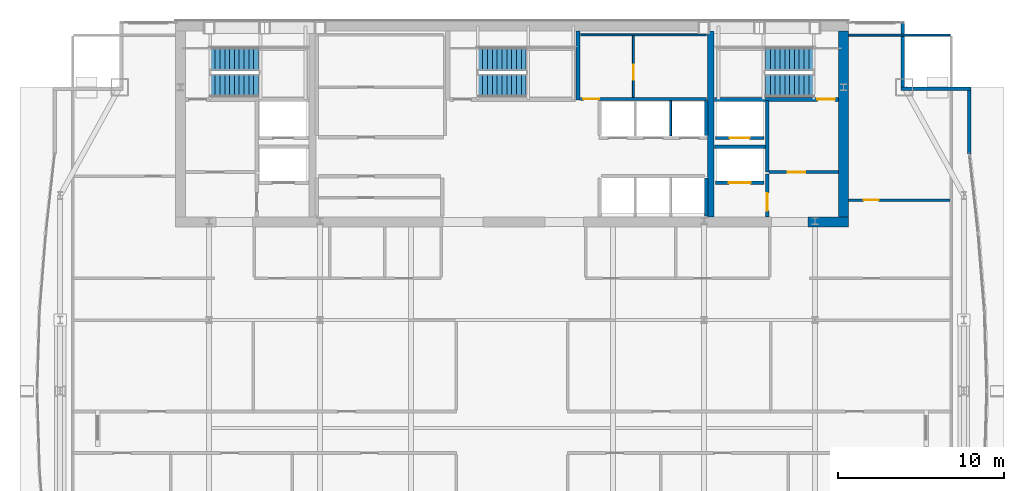
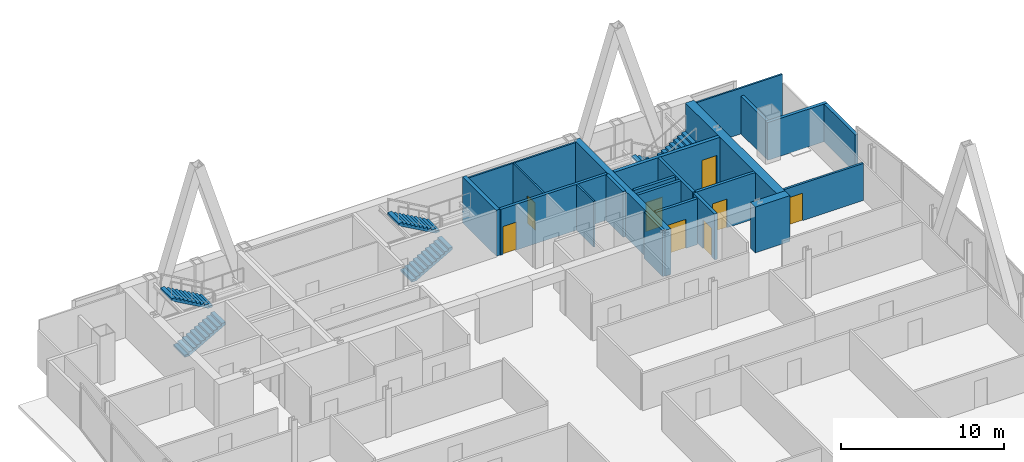
# One storey, part 28 of 30: 22 walls, 8 doors, 6 stair flights, 8 openings, 3 elements without a shape of their own.
"""IFC4 building model written with IfcOpenShell, lengths in metres."""

import ifcopenshell
import ifcopenshell.guid

model = None  # the IFC model being written
_history = None  # IfcOwnerHistory: only IFC2X3 demands one
_inside = {}  # id of a spatial element -> (the spatial element, [elements in it])
_under = {}  # id of a project, library or spatial element -> (it, [spatial elements below it])
_declared = {}  # id of a project -> (the project, [libraries it declares])
_typed = {}  # id of a type object -> (the type object, [elements of that type])
_made_of = {}  # id of a material, layer set ... -> (it, [elements and type objects made of it])


def new_model(schema):
    """Start an empty IFC model of exactly this schema.

    Asked for "IFC4X3", IfcOpenShell would pick the latest addendum, in which some entities
    have other attributes; the version numbers below select the first issue.
    IFC2X3 requires an IfcOwnerHistory on every rooted entity: one is made here for all.
    """
    global model, _history
    if schema == "IFC4X3":
        model = ifcopenshell.file(schema_version=(4, 3, 0, 0))
    else:
        model = ifcopenshell.file(schema=schema)
    _inside.clear()
    _under.clear()
    _declared.clear()
    _typed.clear()
    _made_of.clear()
    _history = None
    if model.schema == "IFC2X3":
        org = make("IfcOrganization", Name="unknown")
        user = make(
            "IfcPersonAndOrganization",
            ThePerson=make("IfcPerson", FamilyName="unknown"),
            TheOrganization=org,
        )
        app = make(
            "IfcApplication",
            ApplicationDeveloper=org,
            Version="unknown",
            ApplicationFullName="unknown",
            ApplicationIdentifier="unknown",
        )
        _history = make(
            "IfcOwnerHistory",
            OwningUser=user,
            OwningApplication=app,
            ChangeAction="ADDED",
            CreationDate=0,
        )
    return model


def make(cls, **values):
    """One entity of the class cls with the attributes given. An attribute that is None is left unset."""
    return model.create_entity(
        cls, **{name: value for name, value in values.items() if value is not None}
    )


def rooted(cls, **values):
    """An entity with a GlobalId (a new one), such as an element, a storey or a relation."""
    return make(cls, GlobalId=ifcopenshell.guid.new(), OwnerHistory=_history, **values)


def si_unit(unit_type, name, prefix=None):
    """IfcSIUnit, for example si_unit("LENGTHUNIT", "METRE", prefix="MILLI")."""
    return make("IfcSIUnit", UnitType=unit_type, Prefix=prefix, Name=name)


def assignment(units):
    """IfcUnitAssignment: the units of a project."""
    return None if units is None else make("IfcUnitAssignment", Units=units)


def point(xyz):
    """IfcCartesianPoint."""
    return None if xyz is None else make("IfcCartesianPoint", Coordinates=xyz)


def direction(xyz):
    """IfcDirection."""
    return None if xyz is None else make("IfcDirection", DirectionRatios=xyz)


def frame(location, z_axis=None, x_axis=None):
    """IfcAxis2Placement3D, a coordinate frame: its origin and axes. An axis left out is left unset."""
    return make(
        "IfcAxis2Placement3D",
        Location=point(location),
        Axis=direction(z_axis),
        RefDirection=direction(x_axis),
    )


def frame_2d(location, x_axis=None):
    """IfcAxis2Placement2D, a coordinate frame in the plane: its origin and x axis."""
    return make(
        "IfcAxis2Placement2D", Location=point(location), RefDirection=direction(x_axis)
    )


def origin():
    """The frame at (0, 0, 0) with its axes left unset."""
    return frame((0.0, 0.0, 0.0))


def place(relative_to, where):
    """IfcLocalPlacement: puts the frame where relative to a parent placement (None: the world)."""
    return make(
        "IfcLocalPlacement", PlacementRelTo=relative_to, RelativePlacement=where
    )


def context(
    kind, dimensions, precision=None, world=None, true_north=None, identifier=None
):
    """IfcGeometricRepresentationContext, for example the 3D "Model" context."""
    return make(
        "IfcGeometricRepresentationContext",
        ContextIdentifier=identifier,
        ContextType=kind,
        CoordinateSpaceDimension=dimensions,
        Precision=precision,
        WorldCoordinateSystem=world,
        TrueNorth=true_north,
    )


def subcontext(parent, identifier, kind, view, scale=None):
    """IfcGeometricRepresentationSubContext, for example "Body" below "Model"."""
    return make(
        "IfcGeometricRepresentationSubContext",
        ContextIdentifier=identifier,
        ContextType=kind,
        ParentContext=parent,
        TargetScale=scale,
        TargetView=view,
    )


def project(units=None, contexts=None):
    """IfcProject with its units and contexts."""
    return rooted(
        "IfcProject",
        Name="project",
        RepresentationContexts=contexts,
        UnitsInContext=assignment(units),
    )


def spatial(cls, under=None, at=None, **own):
    """A site, building, storey or space (cls), placed at a placement, below another one or the project."""
    s = rooted(cls, ObjectPlacement=at, **own)
    if under is not None:
        _under.setdefault(under.id(), (under, []))[1].append(s)
    return s


def polyline(points):
    """IfcPolyline through the points."""
    return make("IfcPolyline", Points=[point(p) for p in points])


def profile(cls, at=None, kind="AREA", **sizes):
    """A parametric profile (cls). Its sizes go by their IFC names, for example OverallWidth=200.0."""
    return make(cls, ProfileType=kind, Position=at, **sizes)


def rectangle(**sizes):
    """IfcRectangleProfileDef."""
    return profile("IfcRectangleProfileDef", **sizes)


def outline(outer, holes=None, kind="AREA"):
    """IfcArbitraryClosedProfileDef: a profile drawn as a closed curve; with holes, ...WithVoids."""
    if holes is None:
        return make("IfcArbitraryClosedProfileDef", ProfileType=kind, OuterCurve=outer)
    return make(
        "IfcArbitraryProfileDefWithVoids",
        ProfileType=kind,
        OuterCurve=outer,
        InnerCurves=holes,
    )


def extrude(swept, where, along, depth):
    """IfcExtrudedAreaSolid: the profile swept, set in the frame where, extruded along a direction by depth."""
    return make(
        "IfcExtrudedAreaSolid",
        SweptArea=swept,
        Position=where,
        ExtrudedDirection=direction(along),
        Depth=depth,
    )


def shape(context_of_items, identifier, shape_type, items):
    """IfcShapeRepresentation: the items that make up one representation, for example the "Body"."""
    return make(
        "IfcShapeRepresentation",
        ContextOfItems=context_of_items,
        RepresentationIdentifier=identifier,
        RepresentationType=shape_type,
        Items=items,
    )


def material(Name=None, Category=None):
    """IfcMaterial."""
    return make("IfcMaterial", Name=Name, Category=Category)


def layer(
    of_material, thickness, ventilated=None, Name=None, Category=None, Priority=None
):
    """IfcMaterialLayer: one layer of a wall or slab, of a material (None: an air gap)."""
    return make(
        "IfcMaterialLayer",
        Material=of_material,
        LayerThickness=thickness,
        IsVentilated=ventilated,
        Name=Name,
        Category=Category,
        Priority=Priority,
    )


def layer_set(layers, Name=None):
    """IfcMaterialLayerSet."""
    return make("IfcMaterialLayerSet", MaterialLayers=layers, LayerSetName=Name)


def made_of(thing, what):
    """Note that an element or type object is made of a material, layer set ...; save() writes the relation."""
    if what is not None:
        _made_of.setdefault(what.id(), (what, []))[1].append(thing)
    return thing


def type_object(cls, material=None, **own):
    """A type object (cls), such as IfcWallType, which elements share."""
    return made_of(rooted(cls, **own), material)


def element(
    cls,
    number,
    at=None,
    inside=None,
    cuts=None,
    type_object=None,
    material=None,
    context=None,
    identifier="Body",
    shape_type=None,
    held_by="IfcProductDefinitionShape",
    body=None,
    shapes=None,
    **own,
):
    """One element of the class cls, such as IfcWall. Its Tag is "e" and its number.

    at: its placement. inside: the storey or other place that contains it. cuts: it is an
    opening in that element (IfcRelVoidsElement). A single representation is given by context,
    identifier, shape_type and body (its items); several are given by shapes. held_by: the class
    of the entity that holds the representations. save() writes the other relations.
    """
    e = rooted(cls, Tag="e%d" % number, ObjectPlacement=at, **own)
    if body is not None:
        shapes = [shape(context, identifier, shape_type, body)]
    if shapes is not None:
        e.Representation = make(held_by, Representations=shapes)
    if inside is not None:
        _inside.setdefault(inside.id(), (inside, []))[1].append(e)
    if cuts is not None:
        rooted(
            "IfcRelVoidsElement", RelatingBuildingElement=cuts, RelatedOpeningElement=e
        )
    if type_object is not None:
        _typed.setdefault(type_object.id(), (type_object, []))[1].append(e)
    return made_of(e, material)


def fill(opening, filler):
    """IfcRelFillsElement: the door or window that sits in an opening."""
    return rooted(
        "IfcRelFillsElement",
        RelatingOpeningElement=opening,
        RelatedBuildingElement=filler,
    )


def aggregate(whole, parts):
    """IfcRelAggregates: a whole, such as a stair, and the parts it consists of."""
    return rooted("IfcRelAggregates", RelatingObject=whole, RelatedObjects=parts)


def save(model, path):
    """Write the relations noted so far, then the file.

    IfcRelAggregates (storeys below a building ...), IfcRelContainedInSpatialStructure (elements
    in a storey), IfcRelDefinesByType, IfcRelAssociatesMaterial and IfcRelDeclares: one each for
    every whole, place, type object, material and project.
    """
    for whole, parts in _under.values():
        aggregate(whole, parts)
    for where, things in _inside.values():
        rooted(
            "IfcRelContainedInSpatialStructure",
            RelatedElements=things,
            RelatingStructure=where,
        )
    for kind, things in _typed.values():
        rooted("IfcRelDefinesByType", RelatedObjects=things, RelatingType=kind)
    for what, things in _made_of.values():
        rooted("IfcRelAssociatesMaterial", RelatedObjects=things, RelatingMaterial=what)
    for by, libraries in _declared.values():
        rooted("IfcRelDeclares", RelatingContext=by, RelatedDefinitions=libraries)
    model.write(path)


model = new_model("IFC4")

# Units and contexts
model_context = context("Model", 3, precision=1e-05, world=origin(), true_north=direction((0.0, 1.0)))
body_context = subcontext(model_context, "Body", "Model", "MODEL_VIEW")
ifc_project = project(units=[si_unit("LENGTHUNIT", "METRE"), si_unit("AREAUNIT", "SQUARE_METRE"), si_unit("VOLUMEUNIT", "CUBIC_METRE"), si_unit("PLANEANGLEUNIT", "RADIAN"), si_unit("MASSUNIT", "GRAM", prefix="KILO")], contexts=[model_context])

# Site, building, storey
site_placement = place(None, origin())
site = spatial("IfcSite", under=ifc_project, at=site_placement, CompositionType="ELEMENT")
building_placement = place(site_placement, origin())
building = spatial("IfcBuilding", under=site, at=building_placement, Name="Khoronbel Lancet Exchange", CompositionType="ELEMENT")
storey_placement = place(building_placement, frame((0.0, 0.0, 239.0)))
storey = spatial("IfcBuildingStorey", under=building, at=storey_placement, Name="L61", CompositionType="ELEMENT", Elevation=239.0)

# Walls
ifc_material_1 = material(Name="Concrete C60/75", Category="concrete")
ifc_layer_1 = layer(ifc_material_1, 0.60009765625, Name="Concrete C60/75")
ifc_layer_set_1 = layer_set([ifc_layer_1], Name="Concrete C60/75")
wall_type_1 = type_object("IfcWallType", Name="WL-CW3", PredefinedType="SHEAR", material=ifc_layer_set_1)
wall_1_placement = place(storey_placement, frame((56.39990234375, 53.10009765625, 0.0), z_axis=(0.0, 0.0, 1.0), x_axis=(0.0, -1.0, 0.0)))
element("IfcWall", 1, at=wall_1_placement, inside=storey, type_object=wall_type_1, Name="Level L61 rear core east shear wall", PredefinedType="SHEAR", context=body_context, shape_type="SweptSolid", body=[
    extrude(rectangle(XDim=11.2001953125, YDim=0.60009765625, at=frame_2d((5.60009765625, 0.0))), origin(), (0.0, 0.0, 1.0), 3.43994140625),
])
wall_2_placement = place(storey_placement, frame((56.699951171875, 41.60009765625, 0.0), z_axis=(0.0, 0.0, 1.0), x_axis=(-1.0, 0.0, 0.0)))
element("IfcWall", 2, at=wall_2_placement, inside=storey, type_object=wall_type_1, Name="Level L61 rear core south shear wall pier P5", PredefinedType="SHEAR", context=body_context, shape_type="SweptSolid", body=[
    extrude(rectangle(XDim=2.449951171875, YDim=0.60009765625, at=frame_2d((1.22509765625, 0.0))), origin(), (0.0, 0.0, 1.0), 3.43994140625),
])
ifc_material_2 = material(Name="Precast concrete C40/50", Category="concrete")
ifc_layer_2 = layer(ifc_material_2, 0.25, Name="Precast concrete C40/50")
ifc_layer_set_2 = layer_set([ifc_layer_2], Name="Precast concrete C40/50")
wall_type_2 = type_object("IfcWallType", Name="WL-EXT250", PredefinedType="SOLIDWALL", material=ifc_layer_set_2)
wall_3_placement = place(storey_placement, frame((59.9599609375, 53.6298828125, 0.0), z_axis=(0.0, 0.0, 1.0), x_axis=(0.0, -1.0, 0.0)))
element("IfcWall", 3, at=wall_3_placement, inside=storey, type_object=wall_type_2, Name="Level L61 notched-corner limestone pier 14", PredefinedType="SOLIDWALL", context=body_context, shape_type="SweptSolid", body=[
    extrude(rectangle(XDim=3.909912109375, YDim=0.219970703125, at=frame_2d((1.955078125, 0.0))), origin(), (0.0, 0.0, 1.0), 2.830078125),
])
wall_4_placement = place(storey_placement, frame((59.85009765625, 49.610107421875, 0.0), z_axis=(0.0, 0.0, 1.0), x_axis=(1.0, 0.0, 0.0)))
element("IfcWall", 4, at=wall_4_placement, inside=storey, type_object=wall_type_2, Name="Level L61 notched-corner limestone pier 15", PredefinedType="SOLIDWALL", context=body_context, shape_type="SweptSolid", body=[
    extrude(rectangle(XDim=4.219970703125, YDim=0.219970703125, at=frame_2d((2.10986328125, 0.0))), origin(), (0.0, 0.0, 1.0), 2.830078125),
])
wall_5_placement = place(storey_placement, frame((63.9599609375, 49.5, 0.0), z_axis=(0.0, 0.0, 1.0), x_axis=(0.0, -1.0, 0.0)))
element("IfcWall", 5, at=wall_5_placement, inside=storey, type_object=wall_type_2, Name="Level L61 notched-corner limestone pier 16", PredefinedType="SOLIDWALL", context=body_context, shape_type="SweptSolid", body=[
    extrude(rectangle(XDim=3.824951171875, YDim=0.219970703125, at=frame_2d((1.91259765625, 0.0))), origin(), (0.0, 0.0, 1.0), 2.830078125),
])

# Wall, opening, door
ifc_material_3 = material(Name="Acoustic Metal-Stud & Mineral-Wool Gypsum Partition 120 mm", Category="gypsum")
ifc_layer_3 = layer(ifc_material_3, 0.1201171875, Name="Acoustic Metal-Stud & Mineral-Wool Gypsum Partition 120 mm")
ifc_layer_set_3 = layer_set([ifc_layer_3], Name="Acoustic Metal-Stud & Mineral-Wool Gypsum Partition 120 mm")
wall_type_3 = type_object("IfcWallType", Name="WL-PRT120", PredefinedType="PARTITIONING", material=ifc_layer_set_3)
wall_6_placement = place(storey_placement, frame((56.699951171875, 42.919921875, 0.0), z_axis=(0.0, 0.0, 1.0), x_axis=(1.0, 0.0, 0.0)))
wall_6 = element("IfcWall", 6, at=wall_6_placement, inside=storey, type_object=wall_type_3, Name="Level L61 interior partition PW-NE-H", PredefinedType="PARTITIONING", context=body_context, shape_type="SweptSolid", body=[
    extrude(rectangle(XDim=6.10498046875, YDim=0.14990234375, at=frame_2d((3.052490234375, 0.0))), origin(), (0.0, 0.0, 1.0), 2.780029296875),
])
opening_1_placement = place(wall_6_placement, frame((0.89990234375, 0.0, 0.0)))
opening_1 = element("IfcOpeningElement", 7, at=opening_1_placement, cuts=wall_6, Name="Opening D5", PredefinedType="OPENING", context=body_context, shape_type="SweptSolid", body=[
    extrude(rectangle(XDim=0.89990234375, YDim=2.050048828125, at=frame_2d((0.449951171875, 1.02490234375))), frame((0.0, 0.0849609375, 0.0), z_axis=(0.0, -1.0, 0.0), x_axis=(1.0, 0.0, 0.0)), (0.0, 0.0, 1.0), 0.169921875),
])
ifc_material_4 = material(Name="Acoustic Timber Pantry & Support Door", Category="wood")
door_type_1 = type_object("IfcDoorType", Name="DR-D5", OperationType="NOTDEFINED", PredefinedType="DOOR", material=ifc_material_4)
door_1_placement = place(opening_1_placement, origin())
door_1 = element("IfcDoor", 8, at=door_1_placement, inside=storey, type_object=door_type_1, Name="NE north room door L61-1", OperationType="SINGLE_SWING_RIGHT", OverallHeight=2.050048828125, OverallWidth=0.89990234375, PredefinedType="DOOR", context=body_context, shape_type="SweptSolid", body=[
    extrude(rectangle(XDim=0.89990234375, YDim=2.050048828125, at=frame_2d((0.449951171875, 1.02490234375))), frame((0.0, 0.02490234375, 0.0), z_axis=(0.0, -1.0, 0.0), x_axis=(1.0, 0.0, 0.0)), (0.0, 0.0, 1.0), 0.050048828125),
])
fill(opening_1, door_1)

# Walls
wall_7_placement = place(storey_placement, frame((56.699951171875, 52.840087890625, 0.0), z_axis=(0.0, 0.0, 1.0), x_axis=(1.0, 0.0, 0.0)))
element("IfcWall", 9, at=wall_7_placement, inside=storey, type_object=wall_type_3, Name="Level L61 interior partition PW-LIN-NE", PredefinedType="PARTITIONING", context=body_context, shape_type="SweptSolid", body=[
    extrude(rectangle(XDim=6.10498046875, YDim=0.1201171875, at=frame_2d((3.052490234375, 0.0))), origin(), (0.0, 0.0, 1.0), 3.43994140625),
])
ifc_material_5 = material(Name="Fire-Rated Metal-Stud & Mineral-Wool Gypsum Partition 120 mm", Category="gypsum")
ifc_layer_4 = layer(ifc_material_5, 0.1201171875, Name="Fire-Rated Metal-Stud & Mineral-Wool Gypsum Partition 120 mm")
ifc_layer_set_4 = layer_set([ifc_layer_4], Name="Fire-Rated Metal-Stud & Mineral-Wool Gypsum Partition 120 mm")
wall_type_4 = type_object("IfcWallType", Name="WL-PRT120F", PredefinedType="PARTITIONING", material=ifc_layer_set_4)
wall_8_placement = place(storey_placement, frame((46.0, 46.800048828125, 0.0), z_axis=(0.0, 0.0, 1.0), x_axis=(0.0, 1.0, 0.0)))
element("IfcWall", 10, at=wall_8_placement, inside=storey, type_object=wall_type_4, Name="Level L61 interior partition CW-PH-D2", PredefinedType="PARTITIONING", context=body_context, shape_type="SweptSolid", body=[
    extrude(rectangle(XDim=2.094970703125, YDim=0.1201171875, at=frame_2d((1.04736328125, 0.0))), origin(), (0.0, 0.0, 1.0), 3.43994140625),
])
wall_9_placement = place(storey_placement, frame((40.580078125, 52.860107421875, 0.0), z_axis=(0.0, 0.0, 1.0), x_axis=(1.0, 0.0, 0.0)))
element("IfcWall", 11, at=wall_9_placement, inside=storey, type_object=wall_type_4, Name="Level L61 interior partition CW-SUP-NE-N", PredefinedType="PARTITIONING", context=body_context, shape_type="SweptSolid", body=[
    extrude(rectangle(XDim=7.559814453125, YDim=0.1201171875, at=frame_2d((3.77978515625, 0.0))), origin(), (0.0, 0.0, 1.0), 3.43994140625),
])

# Wall, opening, door
wall_10_placement = place(storey_placement, frame((43.755126953125, 49.10498046875, 0.0), z_axis=(0.0, 0.0, 1.0), x_axis=(0.0, 1.0, 0.0)))
wall_10 = element("IfcWall", 12, at=wall_10_placement, inside=storey, type_object=wall_type_4, Name="Level L61 interior partition CW-SUP-NE-M", PredefinedType="PARTITIONING", context=body_context, shape_type="SweptSolid", body=[
    extrude(rectangle(XDim=3.68994140625, YDim=0.1201171875, at=frame_2d((1.844970703125, 0.0))), origin(), (0.0, 0.0, 1.0), 3.43994140625),
])
opening_2_placement = place(wall_10_placement, frame((1.050048828125, 0.0, 0.0)))
opening_2 = element("IfcOpeningElement", 13, at=opening_2_placement, cuts=wall_10, Name="Opening FD4", PredefinedType="OPENING", context=body_context, shape_type="SweptSolid", body=[
    extrude(rectangle(XDim=0.89990234375, YDim=2.050048828125, at=frame_2d((0.449951171875, 1.02490234375))), frame((0.0, 0.070068359375, 0.0), z_axis=(0.0, -1.0, 0.0), x_axis=(1.0, 0.0, 0.0)), (0.0, 0.0, 1.0), 0.14013671875),
])
ifc_material_6 = material(Name="Fire-Rated Steel Core Support Door Assembly", Category="steel")
door_type_2 = type_object("IfcDoorType", Name="DR-FD4", OperationType="NOTDEFINED", PredefinedType="DOOR", material=ifc_material_6)
door_2_placement = place(opening_2_placement, origin())
door_2 = element("IfcDoor", 14, at=door_2_placement, inside=storey, type_object=door_type_2, Name="Core NE inner support door L61-1", OperationType="SINGLE_SWING_LEFT", OverallHeight=2.050048828125, OverallWidth=0.89990234375, PredefinedType="DOOR", context=body_context, shape_type="SweptSolid", body=[
    extrude(rectangle(XDim=0.89990234375, YDim=2.050048828125, at=frame_2d((0.449951171875, 1.02490234375))), frame((0.0, 0.02490234375, 0.0), z_axis=(0.0, -1.0, 0.0), x_axis=(1.0, 0.0, 0.0)), (0.0, 0.0, 1.0), 0.050048828125),
])
fill(opening_2, door_2)

ifc_material_7 = material(Name="Autoclaved Aerated Concrete Blockwork 200 mm", Category="masonry")
ifc_layer_5 = layer(ifc_material_7, 0.199951171875, Name="Autoclaved Aerated Concrete Blockwork 200 mm")
ifc_layer_set_5 = layer_set([ifc_layer_5], Name="Autoclaved Aerated Concrete Blockwork 200 mm")
wall_type_5 = type_object("IfcWallType", Name="WL-PRT200", PredefinedType="PARTITIONING", material=ifc_layer_set_5)
wall_11_placement = place(storey_placement, frame((51.610107421875, 43.949951171875, 0.0), z_axis=(0.0, 0.0, 1.0), x_axis=(-1.0, 0.0, 0.0)))
wall_11 = element("IfcWall", 15, at=wall_11_placement, inside=storey, type_object=wall_type_5, Name="Level L61 elevator hoistway landing front wall SVLE", PredefinedType="PARTITIONING", context=body_context, shape_type="SweptSolid", body=[
    extrude(rectangle(XDim=2.920166015625, YDim=0.199951171875, at=frame_2d((1.4599609375, 0.0))), origin(), (0.0, 0.0, 1.0), 3.43994140625),
])
opening_3_placement = place(wall_11_placement, frame((0.81005859375, 0.0, 0.0)))
opening_3 = element("IfcOpeningElement", 16, at=opening_3_placement, cuts=wall_11, Name="Opening LD-SVL2", PredefinedType="OPENING", context=body_context, shape_type="SweptSolid", body=[
    extrude(rectangle(XDim=1.300048828125, YDim=2.179931640625, at=frame_2d((0.64990234375, 1.08984375))), frame((0.0, 0.10986328125, 0.0), z_axis=(0.0, -1.0, 0.0), x_axis=(1.0, 0.0, 0.0)), (0.0, 0.0, 1.0), 0.219970703125),
])
ifc_material_8 = material(Name="Heavy-Duty Bi-Parting Goods Lift Landing Door", Category="steel")
door_type_3 = type_object("IfcDoorType", Name="DR-LD-SVL", OperationType="NOTDEFINED", PredefinedType="DOOR", material=ifc_material_8)
door_3_placement = place(opening_3_placement, origin())
door_3 = element("IfcDoor", 17, at=door_3_placement, inside=storey, type_object=door_type_3, Name="Elevator landing sliding door LD-SVL2 L61", OperationType="SLIDING_TO_LEFT", OverallHeight=2.179931640625, OverallWidth=1.300048828125, PredefinedType="DOOR", context=body_context, shape_type="SweptSolid", body=[
    extrude(rectangle(XDim=1.300048828125, YDim=2.179931640625, at=frame_2d((0.64990234375, 1.08984375))), frame((0.0, 0.02490234375, 0.0), z_axis=(0.0, -1.0, 0.0), x_axis=(1.0, 0.0, 0.0)), (0.0, 0.0, 1.0), 0.050048828125),
])
fill(opening_3, door_3)

wall_12_placement = place(storey_placement, frame((51.610107421875, 46.64990234375, 0.0), z_axis=(0.0, 0.0, 1.0), x_axis=(-1.0, 0.0, 0.0)))
wall_12 = element("IfcWall", 18, at=wall_12_placement, inside=storey, type_object=wall_type_5, Name="Level L61 elevator hoistway landing front wall FFLE", PredefinedType="PARTITIONING", context=body_context, shape_type="SweptSolid", body=[
    extrude(rectangle(XDim=2.920166015625, YDim=0.199951171875, at=frame_2d((1.4599609375, 0.0))), origin(), (0.0, 0.0, 1.0), 3.43994140625),
])
opening_4_placement = place(wall_12_placement, frame((0.860107421875, 0.0, 0.0)))
opening_4 = element("IfcOpeningElement", 19, at=opening_4_placement, cuts=wall_12, Name="Opening LD-FFL2", PredefinedType="OPENING", context=body_context, shape_type="SweptSolid", body=[
    extrude(rectangle(XDim=1.199951171875, YDim=2.179931640625, at=frame_2d((0.60009765625, 1.08984375))), frame((0.0, 0.10986328125, 0.0), z_axis=(0.0, -1.0, 0.0), x_axis=(1.0, 0.0, 0.0)), (0.0, 0.0, 1.0), 0.219970703125),
])
ifc_material_9 = material(Name="Fire-Rated Stainless Bi-Parting Firefighting Lift Door", Category="steel")
door_type_4 = type_object("IfcDoorType", Name="DR-LD-FFL", OperationType="NOTDEFINED", PredefinedType="DOOR", material=ifc_material_9)
door_4_placement = place(opening_4_placement, origin())
door_4 = element("IfcDoor", 20, at=door_4_placement, inside=storey, type_object=door_type_4, Name="Elevator landing sliding door LD-FFL2 L61", OperationType="SLIDING_TO_LEFT", OverallHeight=2.179931640625, OverallWidth=1.199951171875, PredefinedType="DOOR", context=body_context, shape_type="SweptSolid", body=[
    extrude(rectangle(XDim=1.199951171875, YDim=2.179931640625, at=frame_2d((0.60009765625, 1.08984375))), frame((0.0, 0.02490234375, 0.0), z_axis=(0.0, -1.0, 0.0), x_axis=(1.0, 0.0, 0.0)), (0.0, 0.0, 1.0), 0.050048828125),
])
fill(opening_4, door_4)

# Wall
wall_13_placement = place(storey_placement, frame((51.800048828125, 44.60009765625, 0.0), z_axis=(0.0, 0.0, 1.0), x_axis=(0.0, 1.0, 0.0)))
element("IfcWall", 21, at=wall_13_placement, inside=storey, type_object=wall_type_5, Name="Level L61 interior partition CW-FFLE-W", PredefinedType="PARTITIONING", context=body_context, shape_type="SweptSolid", body=[
    extrude(rectangle(XDim=4.2998046875, YDim=0.199951171875, at=frame_2d((2.14990234375, 0.0))), origin(), (0.0, 0.0, 1.0), 3.43994140625),
])

# Wall, opening, door
wall_14_placement = place(storey_placement, frame((51.89990234375, 44.60009765625, 0.0), z_axis=(0.0, 0.0, 1.0), x_axis=(1.0, 0.0, 0.0)))
wall_14 = element("IfcWall", 22, at=wall_14_placement, inside=storey, type_object=wall_type_5, Name="Level L61 interior partition CW-FFLE-S", PredefinedType="PARTITIONING", context=body_context, shape_type="SweptSolid", body=[
    extrude(rectangle(XDim=4.2001953125, YDim=0.199951171875, at=frame_2d((2.10009765625, 0.0))), origin(), (0.0, 0.0, 1.0), 3.43994140625),
])
opening_5_placement = place(wall_14_placement, frame((1.14990234375, 0.0, 0.0)))
opening_5 = element("IfcOpeningElement", 23, at=opening_5_placement, cuts=wall_14, Name="Opening FD1", PredefinedType="OPENING", context=body_context, shape_type="SweptSolid", body=[
    extrude(rectangle(XDim=1.050048828125, YDim=2.14990234375, at=frame_2d((0.52490234375, 1.074951171875))), frame((0.0, 0.10986328125, 0.0), z_axis=(0.0, -1.0, 0.0), x_axis=(1.0, 0.0, 0.0)), (0.0, 0.0, 1.0), 0.219970703125),
])
ifc_material_10 = material(Name="Fire-Rated Painted Steel Door Assembly", Category="steel")
door_type_5 = type_object("IfcDoorType", Name="DR-FD1", OperationType="NOTDEFINED", PredefinedType="DOOR", material=ifc_material_10)
door_5_placement = place(opening_5_placement, origin())
door_5 = element("IfcDoor", 24, at=door_5_placement, inside=storey, type_object=door_type_5, Name="East firefighting lobby FD90S door L61-1", OperationType="SINGLE_SWING_RIGHT", OverallHeight=2.14990234375, OverallWidth=1.050048828125, PredefinedType="DOOR", context=body_context, shape_type="SweptSolid", body=[
    extrude(rectangle(XDim=1.050048828125, YDim=2.14990234375, at=frame_2d((0.52490234375, 1.074951171875))), frame((0.0, 0.02490234375, 0.0), z_axis=(0.0, -1.0, 0.0), x_axis=(1.0, 0.0, 0.0)), (0.0, 0.0, 1.0), 0.050048828125),
])
fill(opening_5, door_5)

# Wall
wall_15_placement = place(storey_placement, frame((48.6298828125, 46.1201171875, 0.0), z_axis=(0.0, 0.0, 1.0), x_axis=(1.0, 0.0, 0.0)))
element("IfcWall", 25, at=wall_15_placement, inside=storey, type_object=wall_type_5, Name="Level L61 interior partition CW-FFL2-S", PredefinedType="PARTITIONING", context=body_context, shape_type="SweptSolid", body=[
    extrude(rectangle(XDim=3.070068359375, YDim=0.199951171875, at=frame_2d((1.53515625, 0.0))), origin(), (0.0, 0.0, 1.0), 3.43994140625),
])

# Wall, opening, door
wall_16_placement = place(storey_placement, frame((51.800048828125, 41.89990234375, 0.0), z_axis=(0.0, 0.0, 1.0), x_axis=(0.0, 1.0, 0.0)))
wall_16 = element("IfcWall", 26, at=wall_16_placement, inside=storey, type_object=wall_type_5, Name="Level L61 interior partition CW-SVLE-E", PredefinedType="PARTITIONING", context=body_context, shape_type="SweptSolid", body=[
    extrude(rectangle(XDim=2.59521484375, YDim=0.199951171875, at=frame_2d((1.297607421875, 0.0))), origin(), (0.0, 0.0, 1.0), 3.43994140625),
])
opening_6_placement = place(wall_16_placement, frame((0.3798828125, 0.0, 0.0)))
opening_6 = element("IfcOpeningElement", 27, at=opening_6_placement, cuts=wall_16, Name="Opening FD1", PredefinedType="OPENING", context=body_context, shape_type="SweptSolid", body=[
    extrude(rectangle(XDim=1.050048828125, YDim=2.14990234375, at=frame_2d((0.52490234375, 1.074951171875))), frame((0.0, 0.10986328125, 0.0), z_axis=(0.0, -1.0, 0.0), x_axis=(1.0, 0.0, 0.0)), (0.0, 0.0, 1.0), 0.219970703125),
])
door_6_placement = place(opening_6_placement, origin())
door_6 = element("IfcDoor", 28, at=door_6_placement, inside=storey, type_object=door_type_5, Name="East service lift lobby door L61-1", OperationType="SINGLE_SWING_LEFT", OverallHeight=2.14990234375, OverallWidth=1.050048828125, PredefinedType="DOOR", context=body_context, shape_type="SweptSolid", body=[
    extrude(rectangle(XDim=1.050048828125, YDim=2.14990234375, at=frame_2d((0.52490234375, 1.074951171875))), frame((0.0, 0.02490234375, 0.0), z_axis=(0.0, -1.0, 0.0), x_axis=(1.0, 0.0, 0.0)), (0.0, 0.0, 1.0), 0.050048828125),
])
fill(opening_6, door_6)

# Walls
wall_17_placement = place(storey_placement, frame((48.139892578125, 46.800048828125, 0.0), z_axis=(0.0, 0.0, 1.0), x_axis=(0.0, 1.0, 0.0)))
element("IfcWall", 29, at=wall_17_placement, inside=storey, type_object=wall_type_5, Name="Level L61 interior partition CW-PH-E", PredefinedType="PARTITIONING", context=body_context, shape_type="SweptSolid", body=[
    extrude(rectangle(XDim=2.094970703125, YDim=0.199951171875, at=frame_2d((1.04736328125, 0.0))), origin(), (0.0, 0.0, 1.0), 3.43994140625),
])
wall_18_placement = place(storey_placement, frame((48.139892578125, 41.949951171875, 0.0), z_axis=(0.0, 0.0, 1.0), x_axis=(0.0, 1.0, 0.0)))
element("IfcWall", 30, at=wall_18_placement, inside=storey, type_object=wall_type_5, Name="Level L61 interior partition CW-PX-E", PredefinedType="PARTITIONING", context=body_context, shape_type="SweptSolid", body=[
    extrude(rectangle(XDim=2.295166015625, YDim=0.199951171875, at=frame_2d((1.1474609375, 0.0))), origin(), (0.0, 0.0, 1.0), 3.43994140625),
])

# Wall, opening, door
wall_19_placement = place(storey_placement, frame((40.580078125, 49.0, 0.0), z_axis=(0.0, 0.0, 1.0), x_axis=(1.0, 0.0, 0.0)))
wall_19 = element("IfcWall", 31, at=wall_19_placement, inside=storey, type_object=wall_type_5, Name="Level L61 interior partition CW-SUP-NE-S", PredefinedType="PARTITIONING", context=body_context, shape_type="SweptSolid", body=[
    extrude(rectangle(XDim=7.559814453125, YDim=0.199951171875, at=frame_2d((3.77978515625, 0.0))), origin(), (0.0, 0.0, 1.0), 3.43994140625),
])
opening_7_placement = place(wall_19_placement, frame((0.159912109375, 0.0, 0.0)))
opening_7 = element("IfcOpeningElement", 32, at=opening_7_placement, cuts=wall_19, Name="Opening FD3", PredefinedType="OPENING", context=body_context, shape_type="SweptSolid", body=[
    extrude(rectangle(XDim=0.949951171875, YDim=2.10009765625, at=frame_2d((0.47509765625, 1.050048828125))), frame((0.0, 0.10986328125, 0.0), z_axis=(0.0, -1.0, 0.0), x_axis=(1.0, 0.0, 0.0)), (0.0, 0.0, 1.0), 0.219970703125),
])
ifc_material_11 = material(Name="Fire-Rated Steel Plant & Riser Door Assembly", Category="steel")
door_type_6 = type_object("IfcDoorType", Name="DR-FD3", OperationType="NOTDEFINED", PredefinedType="DOOR", material=ifc_material_11)
door_7_placement = place(opening_7_placement, origin())
door_7 = element("IfcDoor", 33, at=door_7_placement, inside=storey, type_object=door_type_6, Name="Core NE support room door L61-1", OperationType="SINGLE_SWING_RIGHT", OverallHeight=2.10009765625, OverallWidth=0.949951171875, PredefinedType="DOOR", context=body_context, shape_type="SweptSolid", body=[
    extrude(rectangle(XDim=0.949951171875, YDim=2.10009765625, at=frame_2d((0.47509765625, 1.050048828125))), frame((0.0, 0.02490234375, 0.0), z_axis=(0.0, -1.0, 0.0), x_axis=(1.0, 0.0, 0.0)), (0.0, 0.0, 1.0), 0.050048828125),
])
fill(opening_7, door_7)

# Walls
ifc_layer_6 = layer(ifc_material_1, 0.39990234375, Name="Concrete C60/75")
ifc_layer_set_6 = layer_set([ifc_layer_6], Name="Concrete C60/75")
wall_type_6 = type_object("IfcWallType", Name="WL-SW2", PredefinedType="SHEAR", material=ifc_layer_set_6)
wall_20_placement = place(storey_placement, frame((48.39990234375, 41.89990234375, 0.0), z_axis=(0.0, 0.0, 1.0), x_axis=(0.0, 1.0, 0.0)))
element("IfcWall", 34, at=wall_20_placement, inside=storey, type_object=wall_type_6, Name="Level L61 rear core internal spine shear wall IE", PredefinedType="SHEAR", context=body_context, shape_type="SweptSolid", body=[
    extrude(rectangle(XDim=11.2001953125, YDim=0.39990234375, at=frame_2d((5.60009765625, 0.0))), origin(), (0.0, 0.0, 1.0), 3.43994140625),
])
ifc_layer_7 = layer(ifc_material_1, 0.260009765625, Name="Concrete C60/75")
ifc_layer_set_7 = layer_set([ifc_layer_7], Name="Concrete C60/75")
wall_type_7 = type_object("IfcWallType", Name="WL-SW3", PredefinedType="SHEAR", material=ifc_layer_set_7)
wall_21_placement = place(storey_placement, frame((40.419921875, 48.949951171875, 0.0), z_axis=(0.0, 0.0, 1.0), x_axis=(0.0, 1.0, 0.0)))
element("IfcWall", 35, at=wall_21_placement, inside=storey, type_object=wall_type_7, Name="Level L61 central stairwell structural shear wall ST3E", PredefinedType="SHEAR", context=body_context, shape_type="SweptSolid", body=[
    extrude(rectangle(XDim=4.150146484375, YDim=0.260009765625, at=frame_2d((2.0751953125, 0.0))), origin(), (0.0, 0.0, 1.0), 3.43994140625),
])

# Wall, opening, door
wall_22_placement = place(storey_placement, frame((48.6298828125, 48.97998046875, 0.0), z_axis=(0.0, 0.0, 1.0), x_axis=(1.0, 0.0, 0.0)))
wall_22 = element("IfcWall", 36, at=wall_22_placement, inside=storey, type_object=wall_type_7, Name="Level L61 east stairwell structural south wall", PredefinedType="SHEAR", context=body_context, shape_type="SweptSolid", body=[
    extrude(rectangle(XDim=7.47021484375, YDim=0.239990234375, at=frame_2d((3.735107421875, 0.0))), origin(), (0.0, 0.0, 1.0), 3.43994140625),
])
opening_8_placement = place(wall_22_placement, frame((6.199951171875, 0.0, 0.0)))
opening_8 = element("IfcOpeningElement", 37, at=opening_8_placement, cuts=wall_22, Name="Opening SD1", PredefinedType="OPENING", context=body_context, shape_type="SweptSolid", body=[
    extrude(rectangle(XDim=1.050048828125, YDim=2.14990234375, at=frame_2d((0.52490234375, 1.074951171875))), frame((0.0, 0.1298828125, 0.0), z_axis=(0.0, -1.0, 0.0), x_axis=(1.0, 0.0, 0.0)), (0.0, 0.0, 1.0), 0.260009765625),
])
ifc_material_12 = material(Name="Fire-Rated Steel Stairwell Door Assembly", Category="steel")
door_type_7 = type_object("IfcDoorType", Name="DR-SD1", OperationType="NOTDEFINED", PredefinedType="DOOR", material=ifc_material_12)
door_8_placement = place(opening_8_placement, origin())
door_8 = element("IfcDoor", 38, at=door_8_placement, inside=storey, type_object=door_type_7, Name="Protected exit stair ST2 door L61", OperationType="SINGLE_SWING_RIGHT", OverallHeight=2.14990234375, OverallWidth=1.050048828125, PredefinedType="DOOR", context=body_context, shape_type="SweptSolid", body=[
    extrude(rectangle(XDim=1.050048828125, YDim=2.14990234375, at=frame_2d((0.52490234375, 1.074951171875))), frame((0.0, 0.02490234375, 0.0), z_axis=(0.0, -1.0, 0.0), x_axis=(1.0, 0.0, 0.0)), (0.0, 0.0, 1.0), 0.050048828125),
])
fill(opening_8, door_8)

# Stair, stair flights
ifc_material_13 = material(Name="Concrete C40/50", Category="concrete")
stair_type = type_object("IfcStairType", Name="STR-CORE150", PredefinedType="HALF_TURN_STAIR", material=ifc_material_13)
stair_1_placement = place(storey_placement, origin())
stair_1 = element("IfcStair", 39, at=stair_1_placement, inside=storey, type_object=stair_type, Name="L61 Protected Exit Stair ST1", PredefinedType="HALF_TURN_STAIR")
stair_flight_type = type_object("IfcStairFlightType", Name="STF-150", PredefinedType="STRAIGHT", material=ifc_material_13)
stair_flight_1_placement = place(storey_placement, frame((18.300048828125, 49.81005859375, 0.0), z_axis=(0.0, 0.0, 1.0), x_axis=(1.0, 0.0, 0.0)))
stair_flight_1 = element("IfcStairFlight", 40, at=stair_flight_1_placement, type_object=stair_flight_type, Name="ST1 flight 1", NumberOfRisers=11, NumberOfTreads=10, PredefinedType="STRAIGHT", RiserHeight=0.163636364, TreadLength=0.29, context=body_context, shape_type="SweptSolid", body=[
    extrude(outline(polyline([(0.0, 0.0), (0.0, 0.16357421875), (0.2900390625, 0.16357421875), (0.2900390625, 0.327392578125), (0.580078125, 0.327392578125), (0.580078125, 0.490966796875), (0.8701171875, 0.490966796875), (0.8701171875, 0.654541015625), (1.159912109375, 0.654541015625), (1.159912109375, 0.818115234375), (1.449951171875, 0.818115234375), (1.449951171875, 0.98193359375), (1.739990234375, 0.98193359375), (1.739990234375, 1.1455078125), (2.030029296875, 1.1455078125), (2.030029296875, 1.30908203125), (2.320068359375, 1.30908203125), (2.320068359375, 1.47265625), (2.610107421875, 1.47265625), (2.610107421875, 1.636474609375), (2.89990234375, 1.636474609375), (2.89990234375, 1.800048828125), (2.89990234375, 1.46435546875), (0.304931640625, 0.0), (0.0, 0.0)])), frame((0.0, 0.68994140625, 0.0), z_axis=(0.0, -1.0, 0.0), x_axis=(1.0, 0.0, 0.0)), (0.0, 0.0, 1.0), 1.3798828125),
])
stair_flight_2_placement = place(storey_placement, frame((21.199951171875, 51.409912109375, 1.800048828125), z_axis=(0.0, 0.0, 1.0), x_axis=(-1.0, 0.0, 0.0)))
stair_flight_2 = element("IfcStairFlight", 41, at=stair_flight_2_placement, type_object=stair_flight_type, Name="ST1 flight 2", NumberOfRisers=11, NumberOfTreads=10, PredefinedType="STRAIGHT", RiserHeight=0.163636364, TreadLength=0.29, context=body_context, shape_type="SweptSolid", body=[
    extrude(outline(polyline([(0.0, 0.0), (0.0, 0.16357421875), (0.2900390625, 0.16357421875), (0.2900390625, 0.327392578125), (0.580078125, 0.327392578125), (0.580078125, 0.490966796875), (0.8701171875, 0.490966796875), (0.8701171875, 0.654541015625), (1.159912109375, 0.654541015625), (1.159912109375, 0.818115234375), (1.449951171875, 0.818115234375), (1.449951171875, 0.98193359375), (1.739990234375, 0.98193359375), (1.739990234375, 1.1455078125), (2.030029296875, 1.1455078125), (2.030029296875, 1.30908203125), (2.320068359375, 1.30908203125), (2.320068359375, 1.47265625), (2.610107421875, 1.47265625), (2.610107421875, 1.636474609375), (2.89990234375, 1.636474609375), (2.89990234375, 1.800048828125), (2.89990234375, 1.46435546875), (0.304931640625, 0.0), (0.0, 0.0)])), frame((0.0, 0.68994140625, 0.0), z_axis=(0.0, -1.0, 0.0), x_axis=(1.0, 0.0, 0.0)), (0.0, 0.0, 1.0), 1.3798828125),
])
aggregate(stair_1, [stair_flight_1, stair_flight_2])

stair_2_placement = place(storey_placement, origin())
stair_2 = element("IfcStair", 42, at=stair_2_placement, inside=storey, type_object=stair_type, Name="L61 Protected Exit Stair ST2", PredefinedType="HALF_TURN_STAIR")
stair_flight_3_placement = place(storey_placement, frame((54.60009765625, 51.409912109375, 0.0), z_axis=(0.0, 0.0, 1.0), x_axis=(-1.0, 0.0, 0.0)))
stair_flight_3 = element("IfcStairFlight", 43, at=stair_flight_3_placement, type_object=stair_flight_type, Name="ST2 flight 1", NumberOfRisers=11, NumberOfTreads=10, PredefinedType="STRAIGHT", RiserHeight=0.163636364, TreadLength=0.29, context=body_context, shape_type="SweptSolid", body=[
    extrude(outline(polyline([(0.0, 0.0), (0.0, 0.16357421875), (0.2900390625, 0.16357421875), (0.2900390625, 0.327392578125), (0.580078125, 0.327392578125), (0.580078125, 0.490966796875), (0.8701171875, 0.490966796875), (0.8701171875, 0.654541015625), (1.159912109375, 0.654541015625), (1.159912109375, 0.818115234375), (1.449951171875, 0.818115234375), (1.449951171875, 0.98193359375), (1.739990234375, 0.98193359375), (1.739990234375, 1.1455078125), (2.030029296875, 1.1455078125), (2.030029296875, 1.30908203125), (2.320068359375, 1.30908203125), (2.320068359375, 1.47265625), (2.610107421875, 1.47265625), (2.610107421875, 1.636474609375), (2.89990234375, 1.636474609375), (2.89990234375, 1.800048828125), (2.89990234375, 1.46435546875), (0.304931640625, 0.0), (0.0, 0.0)])), frame((0.0, 0.68994140625, 0.0), z_axis=(0.0, -1.0, 0.0), x_axis=(1.0, 0.0, 0.0)), (0.0, 0.0, 1.0), 1.3798828125),
])
stair_flight_4_placement = place(storey_placement, frame((51.699951171875, 49.81005859375, 1.800048828125), z_axis=(0.0, 0.0, 1.0), x_axis=(1.0, 0.0, 0.0)))
stair_flight_4 = element("IfcStairFlight", 44, at=stair_flight_4_placement, type_object=stair_flight_type, Name="ST2 flight 2", NumberOfRisers=11, NumberOfTreads=10, PredefinedType="STRAIGHT", RiserHeight=0.163636364, TreadLength=0.29, context=body_context, shape_type="SweptSolid", body=[
    extrude(outline(polyline([(0.0, 0.0), (0.0, 0.16357421875), (0.2900390625, 0.16357421875), (0.2900390625, 0.327392578125), (0.580078125, 0.327392578125), (0.580078125, 0.490966796875), (0.8701171875, 0.490966796875), (0.8701171875, 0.654541015625), (1.159912109375, 0.654541015625), (1.159912109375, 0.818115234375), (1.449951171875, 0.818115234375), (1.449951171875, 0.98193359375), (1.739990234375, 0.98193359375), (1.739990234375, 1.1455078125), (2.030029296875, 1.1455078125), (2.030029296875, 1.30908203125), (2.320068359375, 1.30908203125), (2.320068359375, 1.47265625), (2.610107421875, 1.47265625), (2.610107421875, 1.636474609375), (2.89990234375, 1.636474609375), (2.89990234375, 1.800048828125), (2.89990234375, 1.46435546875), (0.304931640625, 0.0), (0.0, 0.0)])), frame((0.0, 0.68994140625, 0.0), z_axis=(0.0, -1.0, 0.0), x_axis=(1.0, 0.0, 0.0)), (0.0, 0.0, 1.0), 1.3798828125),
])
aggregate(stair_2, [stair_flight_3, stair_flight_4])

stair_3_placement = place(storey_placement, origin())
stair_3 = element("IfcStair", 45, at=stair_3_placement, inside=storey, type_object=stair_type, Name="L61 Protected Exit Stair ST3", PredefinedType="HALF_TURN_STAIR")
stair_flight_5_placement = place(storey_placement, frame((34.39990234375, 49.81005859375, 0.0), z_axis=(0.0, 0.0, 1.0), x_axis=(1.0, 0.0, 0.0)))
stair_flight_5 = element("IfcStairFlight", 46, at=stair_flight_5_placement, type_object=stair_flight_type, Name="ST3 flight 1", NumberOfRisers=11, NumberOfTreads=10, PredefinedType="STRAIGHT", RiserHeight=0.163636364, TreadLength=0.29, context=body_context, shape_type="SweptSolid", body=[
    extrude(outline(polyline([(0.0, 0.0), (0.0, 0.16357421875), (0.2900390625, 0.16357421875), (0.2900390625, 0.327392578125), (0.580078125, 0.327392578125), (0.580078125, 0.490966796875), (0.8701171875, 0.490966796875), (0.8701171875, 0.654541015625), (1.159912109375, 0.654541015625), (1.159912109375, 0.818115234375), (1.449951171875, 0.818115234375), (1.449951171875, 0.98193359375), (1.739990234375, 0.98193359375), (1.739990234375, 1.1455078125), (2.030029296875, 1.1455078125), (2.030029296875, 1.30908203125), (2.320068359375, 1.30908203125), (2.320068359375, 1.47265625), (2.610107421875, 1.47265625), (2.610107421875, 1.636474609375), (2.89990234375, 1.636474609375), (2.89990234375, 1.800048828125), (2.89990234375, 1.46435546875), (0.304931640625, 0.0), (0.0, 0.0)])), frame((0.0, 0.68994140625, 0.0), z_axis=(0.0, -1.0, 0.0), x_axis=(1.0, 0.0, 0.0)), (0.0, 0.0, 1.0), 1.3798828125),
])
stair_flight_6_placement = place(storey_placement, frame((37.300048828125, 51.409912109375, 1.800048828125), z_axis=(0.0, 0.0, 1.0), x_axis=(-1.0, 0.0, 0.0)))
stair_flight_6 = element("IfcStairFlight", 47, at=stair_flight_6_placement, type_object=stair_flight_type, Name="ST3 flight 2", NumberOfRisers=11, NumberOfTreads=10, PredefinedType="STRAIGHT", RiserHeight=0.163636364, TreadLength=0.29, context=body_context, shape_type="SweptSolid", body=[
    extrude(outline(polyline([(0.0, 0.0), (0.0, 0.16357421875), (0.2900390625, 0.16357421875), (0.2900390625, 0.327392578125), (0.580078125, 0.327392578125), (0.580078125, 0.490966796875), (0.8701171875, 0.490966796875), (0.8701171875, 0.654541015625), (1.159912109375, 0.654541015625), (1.159912109375, 0.818115234375), (1.449951171875, 0.818115234375), (1.449951171875, 0.98193359375), (1.739990234375, 0.98193359375), (1.739990234375, 1.1455078125), (2.030029296875, 1.1455078125), (2.030029296875, 1.30908203125), (2.320068359375, 1.30908203125), (2.320068359375, 1.47265625), (2.610107421875, 1.47265625), (2.610107421875, 1.636474609375), (2.89990234375, 1.636474609375), (2.89990234375, 1.800048828125), (2.89990234375, 1.46435546875), (0.304931640625, 0.0), (0.0, 0.0)])), frame((0.0, 0.68994140625, 0.0), z_axis=(0.0, -1.0, 0.0), x_axis=(1.0, 0.0, 0.0)), (0.0, 0.0, 1.0), 1.3798828125),
])
aggregate(stair_3, [stair_flight_5, stair_flight_6])

save(model, "model.ifc")
